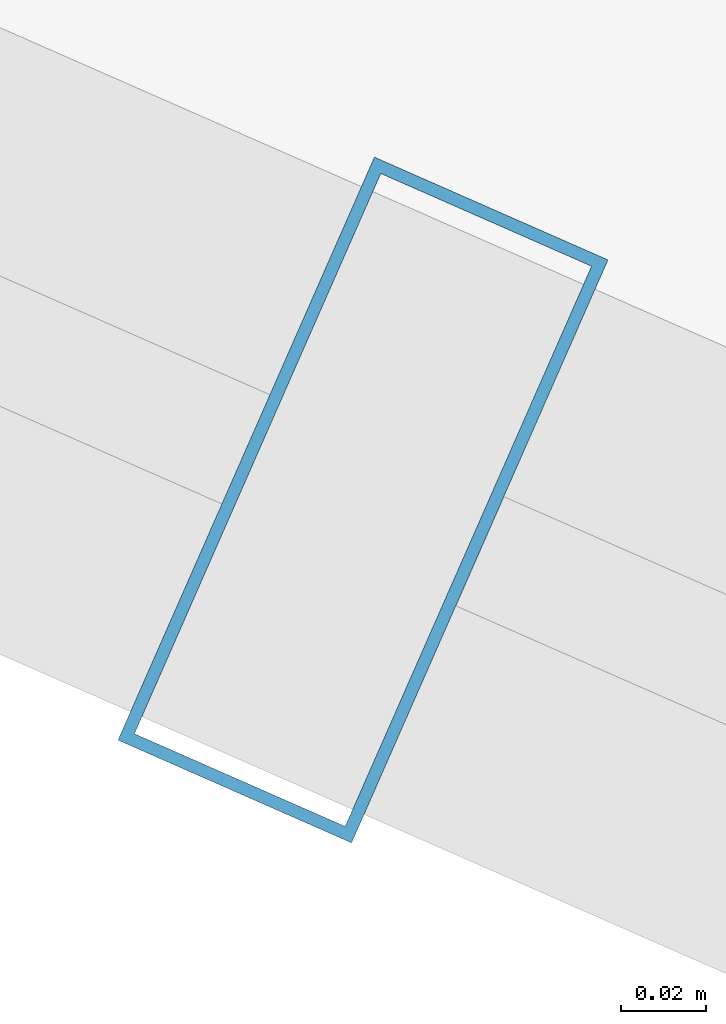
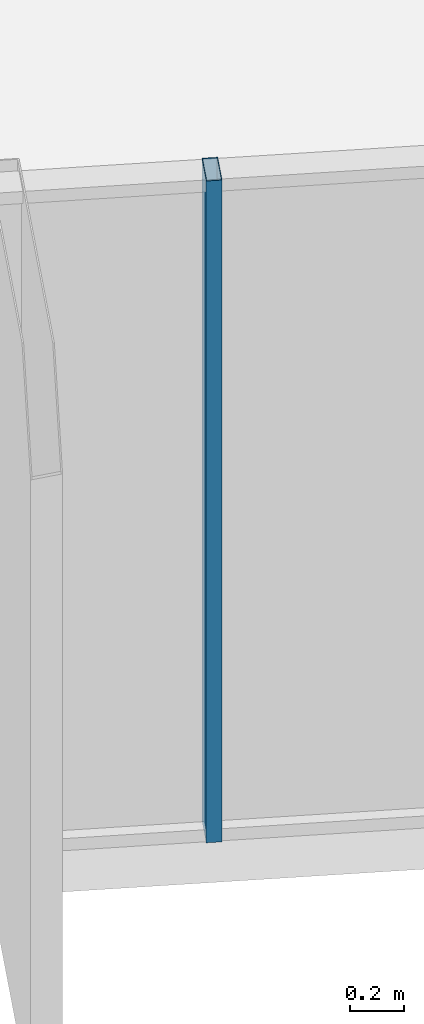
# One storey, part 4 of 32: 1 member, 1 element without a shape of its own.
"""IFC4 building model written with IfcOpenShell, lengths in metres."""

from ifc_helpers import new_model, si_unit, direction, frame, origin, origin_2d, place, context, subcontext, project, spatial, hollow_rectangle, extrude, source, transform, mapped, material, layer, layer_set, material_profile, profile_set, type_object, element, aggregate, save


model = new_model("IFC4")

# Units and contexts
model_context = context("Model", 3, precision=1e-05, world=origin(), true_north=direction((0.0, 1.0)))
body_context = subcontext(model_context, "Body", "Model", "MODEL_VIEW")
ifc_project = project(units=[si_unit("LENGTHUNIT", "METRE"), si_unit("AREAUNIT", "SQUARE_METRE"), si_unit("VOLUMEUNIT", "CUBIC_METRE"), si_unit("PLANEANGLEUNIT", "RADIAN"), si_unit("MASSUNIT", "GRAM", prefix="KILO")], contexts=[model_context])

# Site, building, storey
site_placement = place(None, origin())
site = spatial("IfcSite", under=ifc_project, at=site_placement, CompositionType="ELEMENT")
building_placement = place(site_placement, origin())
building = spatial("IfcBuilding", under=site, at=building_placement, Name="Veraguas Prism Commons", CompositionType="ELEMENT")
storey_placement = place(building_placement, frame((0.0, 0.0, 185.35009765625)))
storey = spatial("IfcBuildingStorey", under=building, at=storey_placement, Name="L52", CompositionType="ELEMENT", Elevation=185.35009765625)

# Curtain wall, member
ifc_material = material(Name="Anodised aluminium EN AW-6063 T6", Category="aluminium")
ifc_layer = layer(ifc_material, 0.14990234375, Name="Unitised Flush Curtain Wall Zone 3", Category="aluminium")
ifc_layer_set = layer_set([ifc_layer], Name="Anodised aluminium EN AW-6063 T6")
curtain_wall_type = type_object("IfcCurtainWallType", Name="Unitised Flush Curtain Wall Zone 3", PredefinedType="NOTDEFINED", material=ifc_layer_set)
curtain_wall_placement = place(storey_placement, origin())
curtain_wall = element("IfcCurtainWall", 1, at=curtain_wall_placement, inside=storey, type_object=curtain_wall_type, Name="Tower Facade Curtain Wall L52-F4", PredefinedType="NOTDEFINED")
ifc_material_profile = material_profile(ifc_material, hollow_rectangle(XDim=0.06005859375, YDim=0.14990234375, WallThickness=0.0029296875, at=origin_2d()), Name="AL60X150X3")
ifc_profile_set = profile_set([ifc_material_profile], Name="Anodised aluminium EN AW-6063 T6")
member_type = type_object("IfcMemberType", Name="Curtain Wall Mullion Upper AL 60x150x3", PredefinedType="MULLION", material=ifc_profile_set)
shared_shape = source(origin(), body_context, "Body", "SweptSolid", [
    extrude(hollow_rectangle(XDim=0.06005859375, YDim=0.14990234375, WallThickness=0.0029296875, at=origin_2d()), origin(), (0.0, 0.0, 1.0), 3.014892578125),
])
member_placement = place(storey_placement, frame((20.50927734375, 6.18798828125, 0.0), z_axis=(0.0, 0.0, 1.0), x_axis=(0.915384568301, -0.402580541155, 0.0)))
member = element("IfcMember", 2, at=member_placement, type_object=member_type, Name="CW-Z3 Mullion 4", PredefinedType="MULLION", context=body_context, shape_type="MappedRepresentation", body=[
    mapped(shared_shape, transform((0.0, 0.0, 0.0), scale=1.0)),
])
aggregate(curtain_wall, [member])

save(model, "model.ifc")
